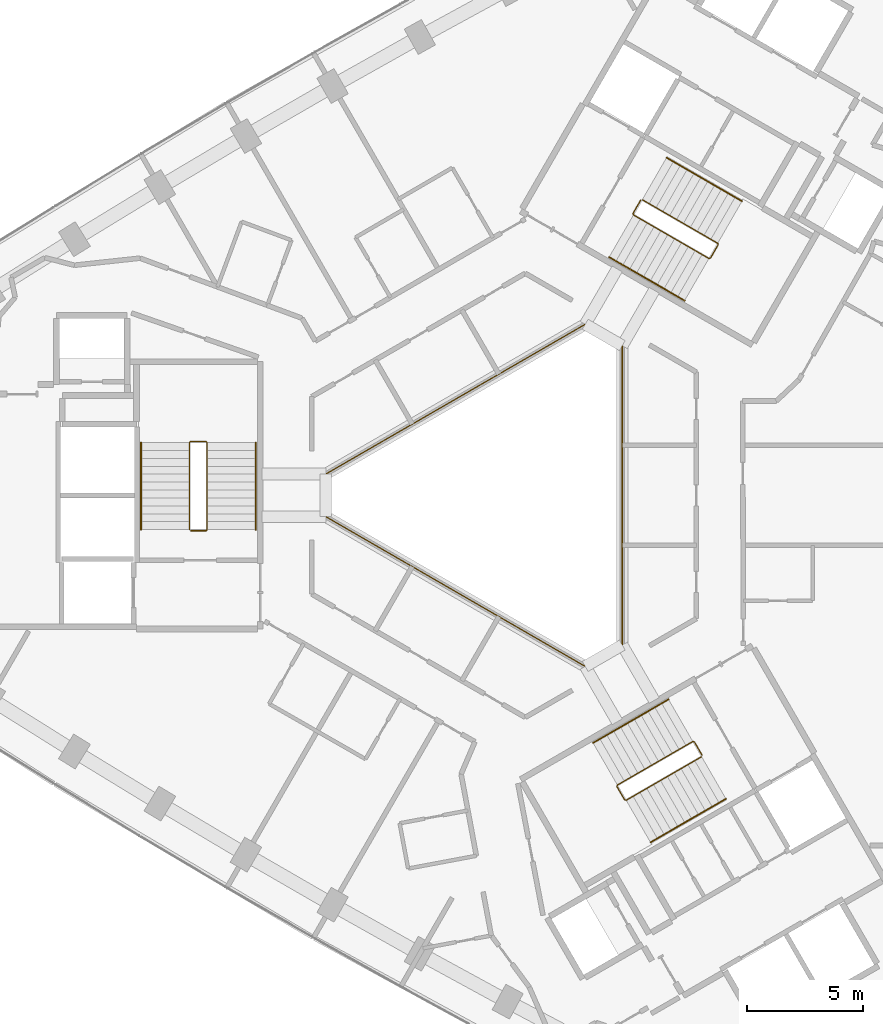
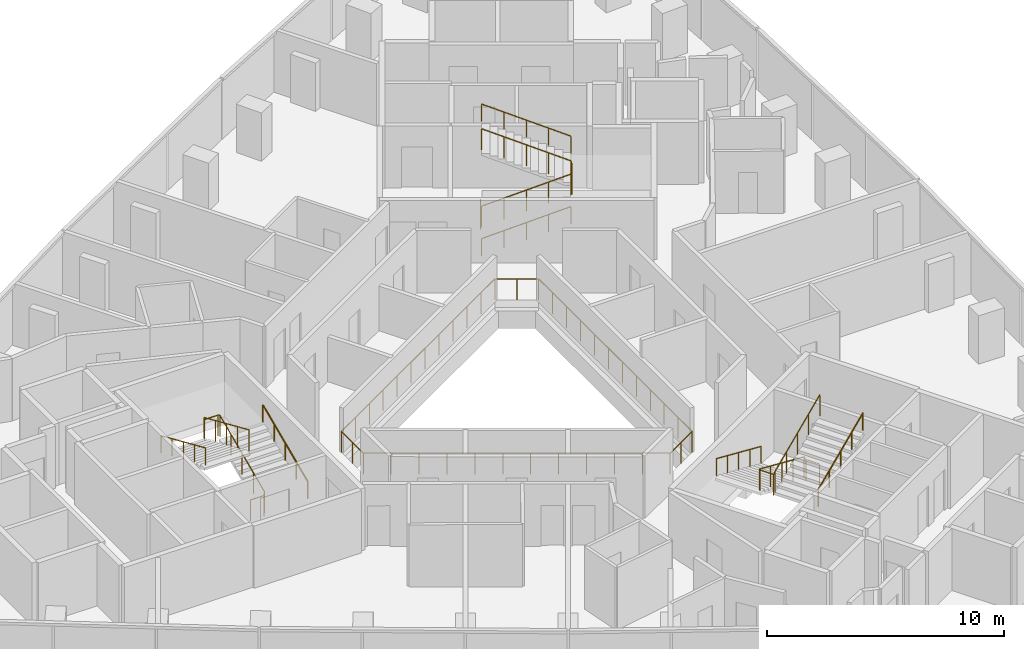
# One storey, part 13 of 13: 10 railings.
"""IFC4 building model written with IfcOpenShell, lengths in metres."""

from ifc_helpers import new_model, si_unit, direction, frame, origin, origin_2d, place, context, subcontext, project, spatial, circle, extrude, material, type_object, element, save


model = new_model("IFC4")

# Units and contexts
model_context = context("Model", 3, precision=1e-05, world=origin(), true_north=direction((0.0, 1.0)))
body_context = subcontext(model_context, "Body", "Model", "MODEL_VIEW")
ifc_project = project(units=[si_unit("LENGTHUNIT", "METRE"), si_unit("AREAUNIT", "SQUARE_METRE"), si_unit("VOLUMEUNIT", "CUBIC_METRE"), si_unit("PLANEANGLEUNIT", "RADIAN"), si_unit("MASSUNIT", "GRAM", prefix="KILO")], contexts=[model_context])

# Site, building, storey
site_placement = place(None, origin())
site = spatial("IfcSite", under=ifc_project, at=site_placement, CompositionType="ELEMENT")
building_placement = place(site_placement, origin())
building = spatial("IfcBuilding", under=site, at=building_placement, Name="Tamra Quay Hotel Tower", CompositionType="ELEMENT")
storey_placement = place(building_placement, frame((0.0, 0.0, 161.199951171875)))
storey = spatial("IfcBuildingStorey", under=building, at=storey_placement, Name="L40", CompositionType="ELEMENT", Elevation=161.199951171875)

# Railings
ifc_material_1 = material(Name="Guard atrium edge 1100")
railing_type_1 = type_object("IfcRailingType", Name="Guard atrium edge 1100", PredefinedType="GUARDRAIL", material=ifc_material_1)
railing_1_placement = place(storey_placement, frame((4.800048828125, -6.466064453125, 0.0)))
element("IfcRailing", 1, at=railing_1_placement, inside=storey, type_object=railing_type_1, Name="G-A", PredefinedType="GUARDRAIL", context=body_context, shape_type="SweptSolid", body=[
    extrude(circle(Radius=0.02392578125, at=origin_2d()), frame((0.0, 0.0, 1.076171875), z_axis=(-0.86602275259, -0.500004591975, 0.0), x_axis=(0.500004591975, -0.86602275259, 0.0)), (0.0, 0.0, 1.0), 1.84765625),
    extrude(circle(Radius=0.02392578125, at=origin_2d()), frame((-1.60009765625, -0.923828125, 1.076171875), z_axis=(-0.86604129137, 0.499972480886, 0.0), x_axis=(-0.499972480886, -0.86604129137, 0.0)), (0.0, 0.0, 1.0), 12.932373046875),
    extrude(circle(Radius=0.02392578125, at=origin_2d()), frame((-12.800048828125, 5.5419921875, 1.076171875), z_axis=(0.0, 1.0, 0.0), x_axis=(-1.0, 0.0, 0.0)), (0.0, 0.0, 1.0), 1.84814453125),
    extrude(circle(Radius=0.02392578125, at=origin_2d()), frame((-12.800048828125, 7.39013671875, 1.076171875), z_axis=(0.86604129137, 0.499972480886, 0.0), x_axis=(-0.499972480886, 0.86604129137, 0.0)), (0.0, 0.0, 1.0), 12.932373046875),
    extrude(circle(Radius=0.02392578125, at=origin_2d()), frame((-1.60009765625, 13.85595703125, 1.076171875), z_axis=(0.86602275259, -0.500004591975, 0.0), x_axis=(0.500004591975, 0.86602275259, 0.0)), (0.0, 0.0, 1.0), 1.84765625),
    extrude(circle(Radius=0.02392578125, at=origin_2d()), frame((0.0, 12.93212890625, 1.076171875), z_axis=(0.0, -1.0, 0.0), x_axis=(1.0, 0.0, 0.0)), (0.0, 0.0, 1.0), 12.93212890625),
    extrude(circle(Radius=0.02099609375, at=origin_2d()), origin(), (0.0, 0.0, 1.0), 1.052001953125),
    extrude(circle(Radius=0.02099609375, at=origin_2d()), frame((-0.800048828125, -0.4619140625, 0.0)), (0.0, 0.0, 1.0), 1.052001953125),
    extrude(circle(Radius=0.02099609375, at=origin_2d()), frame((-1.60009765625, -0.923828125, 0.0)), (0.0, 0.0, 1.0), 1.052001953125),
    extrude(circle(Radius=0.02099609375, at=origin_2d()), frame((-2.6181640625, -0.3359375, 0.0)), (0.0, 0.0, 1.0), 1.052001953125),
    extrude(circle(Radius=0.02099609375, at=origin_2d()), frame((-3.636474609375, 0.251708984375, 0.0)), (0.0, 0.0, 1.0), 1.052001953125),
    extrude(circle(Radius=0.02099609375, at=origin_2d()), frame((-4.654541015625, 0.839599609375, 0.0)), (0.0, 0.0, 1.0), 1.052001953125),
    extrude(circle(Radius=0.02099609375, at=origin_2d()), frame((-5.6728515625, 1.427490234375, 0.0)), (0.0, 0.0, 1.0), 1.052001953125),
    extrude(circle(Radius=0.02099609375, at=origin_2d()), frame((-6.69091796875, 2.01513671875, 0.0)), (0.0, 0.0, 1.0), 1.052001953125),
    extrude(circle(Radius=0.02099609375, at=origin_2d()), frame((-7.709228515625, 2.60302734375, 0.0)), (0.0, 0.0, 1.0), 1.052001953125),
    extrude(circle(Radius=0.02099609375, at=origin_2d()), frame((-8.727294921875, 3.190673828125, 0.0)), (0.0, 0.0, 1.0), 1.052001953125),
    extrude(circle(Radius=0.02099609375, at=origin_2d()), frame((-9.74560546875, 3.778564453125, 0.0)), (0.0, 0.0, 1.0), 1.052001953125),
    extrude(circle(Radius=0.02099609375, at=origin_2d()), frame((-10.763671875, 4.366455078125, 0.0)), (0.0, 0.0, 1.0), 1.052001953125),
    extrude(circle(Radius=0.02099609375, at=origin_2d()), frame((-11.781982421875, 4.9541015625, 0.0)), (0.0, 0.0, 1.0), 1.052001953125),
    extrude(circle(Radius=0.02099609375, at=origin_2d()), frame((-12.800048828125, 5.5419921875, 0.0)), (0.0, 0.0, 1.0), 1.052001953125),
    extrude(circle(Radius=0.02099609375, at=origin_2d()), frame((-12.800048828125, 6.466064453125, 0.0)), (0.0, 0.0, 1.0), 1.052001953125),
    extrude(circle(Radius=0.02099609375, at=origin_2d()), frame((-12.800048828125, 7.39013671875, 0.0)), (0.0, 0.0, 1.0), 1.052001953125),
    extrude(circle(Radius=0.02099609375, at=origin_2d()), frame((-11.781982421875, 7.97802734375, 0.0)), (0.0, 0.0, 1.0), 1.052001953125),
    extrude(circle(Radius=0.02099609375, at=origin_2d()), frame((-10.763671875, 8.565673828125, 0.0)), (0.0, 0.0, 1.0), 1.052001953125),
    extrude(circle(Radius=0.02099609375, at=origin_2d()), frame((-9.74560546875, 9.153564453125, 0.0)), (0.0, 0.0, 1.0), 1.052001953125),
    extrude(circle(Radius=0.02099609375, at=origin_2d()), frame((-8.727294921875, 9.741455078125, 0.0)), (0.0, 0.0, 1.0), 1.052001953125),
    extrude(circle(Radius=0.02099609375, at=origin_2d()), frame((-7.709228515625, 10.3291015625, 0.0)), (0.0, 0.0, 1.0), 1.052001953125),
    extrude(circle(Radius=0.02099609375, at=origin_2d()), frame((-6.69091796875, 10.9169921875, 0.0)), (0.0, 0.0, 1.0), 1.052001953125),
    extrude(circle(Radius=0.02099609375, at=origin_2d()), frame((-5.6728515625, 11.504638671875, 0.0)), (0.0, 0.0, 1.0), 1.052001953125),
    extrude(circle(Radius=0.02099609375, at=origin_2d()), frame((-4.654541015625, 12.092529296875, 0.0)), (0.0, 0.0, 1.0), 1.052001953125),
    extrude(circle(Radius=0.02099609375, at=origin_2d()), frame((-3.636474609375, 12.680419921875, 0.0)), (0.0, 0.0, 1.0), 1.052001953125),
    extrude(circle(Radius=0.02099609375, at=origin_2d()), frame((-2.6181640625, 13.26806640625, 0.0)), (0.0, 0.0, 1.0), 1.052001953125),
    extrude(circle(Radius=0.02099609375, at=origin_2d()), frame((-1.60009765625, 13.85595703125, 0.0)), (0.0, 0.0, 1.0), 1.052001953125),
    extrude(circle(Radius=0.02099609375, at=origin_2d()), frame((-0.800048828125, 13.39404296875, 0.0)), (0.0, 0.0, 1.0), 1.052001953125),
    extrude(circle(Radius=0.02099609375, at=origin_2d()), frame((0.0, 12.93212890625, 0.0)), (0.0, 0.0, 1.0), 1.052001953125),
    extrude(circle(Radius=0.02099609375, at=origin_2d()), frame((0.0, 11.756591796875, 0.0)), (0.0, 0.0, 1.0), 1.052001953125),
    extrude(circle(Radius=0.02099609375, at=origin_2d()), frame((0.0, 10.580810546875, 0.0)), (0.0, 0.0, 1.0), 1.052001953125),
    extrude(circle(Radius=0.02099609375, at=origin_2d()), frame((0.0, 9.4052734375, 0.0)), (0.0, 0.0, 1.0), 1.052001953125),
    extrude(circle(Radius=0.02099609375, at=origin_2d()), frame((0.0, 8.2294921875, 0.0)), (0.0, 0.0, 1.0), 1.052001953125),
    extrude(circle(Radius=0.02099609375, at=origin_2d()), frame((0.0, 7.053955078125, 0.0)), (0.0, 0.0, 1.0), 1.052001953125),
    extrude(circle(Radius=0.02099609375, at=origin_2d()), frame((0.0, 5.878173828125, 0.0)), (0.0, 0.0, 1.0), 1.052001953125),
    extrude(circle(Radius=0.02099609375, at=origin_2d()), frame((0.0, 4.70263671875, 0.0)), (0.0, 0.0, 1.0), 1.052001953125),
    extrude(circle(Radius=0.02099609375, at=origin_2d()), frame((0.0, 3.52685546875, 0.0)), (0.0, 0.0, 1.0), 1.052001953125),
    extrude(circle(Radius=0.02099609375, at=origin_2d()), frame((0.0, 2.351318359375, 0.0)), (0.0, 0.0, 1.0), 1.052001953125),
    extrude(circle(Radius=0.02099609375, at=origin_2d()), frame((0.0, 1.175537109375, 0.0)), (0.0, 0.0, 1.0), 1.052001953125),
])
ifc_material_2 = material(Name="Stair guard 1100")
railing_type_2 = type_object("IfcRailingType", Name="Stair guard 1100", PredefinedType="GUARDRAIL", material=ifc_material_2)
railing_2_placement = place(storey_placement, frame((-13.84130859375, -1.530029296875, 0.0)))
element("IfcRailing", 2, at=railing_2_placement, inside=storey, type_object=railing_type_2, Name="GR", PredefinedType="GUARDRAIL", context=body_context, shape_type="SweptSolid", body=[
    extrude(circle(Radius=0.02392578125, at=origin_2d()), frame((0.0, 0.0, 1.076171875), z_axis=(1.0, 0.0, 0.0), x_axis=(0.0, 1.0, 0.0)), (0.0, 0.0, 1.0), 0.658935546875),
    extrude(circle(Radius=0.02392578125, at=origin_2d()), frame((0.658935546875, 0.0, 1.076171875), z_axis=(0.301511344578, 0.301511344578, 0.904534033733), x_axis=(-0.707106781187, 0.707106781187, 0.0)), (0.0, 0.0, 1.0), 0.166015625),
    extrude(circle(Radius=0.02392578125, at=origin_2d()), frame((0.708984375, 0.050048828125, 1.22607421875), z_axis=(0.0, 0.915795495799, 0.401644880304), x_axis=(-1.0, 0.0, 0.0)), (0.0, 0.0, 1.0), 4.10791015625),
    extrude(circle(Radius=0.02392578125, at=origin_2d()), frame((0.708984375, 3.81201171875, 2.8759765625), z_axis=(-0.708833529934, 0.705375805398, 0.0), x_axis=(-0.705375805398, -0.708833529934, 0.0)), (0.0, 0.0, 1.0), 0.070556640625),
    extrude(circle(Radius=0.02392578125, at=origin_2d()), frame((0.658935546875, 3.86181640625, 2.8759765625), z_axis=(-1.0, 0.0, 0.0), x_axis=(0.0, -1.0, 0.0)), (0.0, 0.0, 1.0), 0.658935546875),
    extrude(circle(Radius=0.02392578125, at=origin_2d()), frame((0.0, 3.86181640625, 2.8759765625), z_axis=(-0.302046947789, -0.300573548044, 0.904667443621), x_axis=(0.705375805398, -0.708833529934, 0.0)), (0.0, 0.0, 1.0), 0.165771484375),
    extrude(circle(Radius=0.02392578125, at=origin_2d()), frame((-0.050048828125, 3.81201171875, 3.02587890625), z_axis=(0.0, -0.915773634228, 0.401694723457), x_axis=(1.0, 0.0, 0.0)), (0.0, 0.0, 1.0), 4.10791015625),
    extrude(circle(Radius=0.02099609375, at=origin_2d()), origin(), (0.0, 0.0, 1.0), 1.052001953125),
    extrude(circle(Radius=0.02099609375, at=origin_2d()), frame((0.658935546875, 0.0, 0.0)), (0.0, 0.0, 1.0), 1.052001953125),
    extrude(circle(Radius=0.02099609375, at=origin_2d()), frame((0.708984375, 0.050048828125, 0.150146484375)), (0.0, 0.0, 1.0), 1.052001953125),
    extrude(circle(Radius=0.02099609375, at=origin_2d()), frame((0.708984375, 0.990478515625, 0.5625)), (0.0, 0.0, 1.0), 1.052001953125),
    extrude(circle(Radius=0.02099609375, at=origin_2d()), frame((0.708984375, 1.93115234375, 0.97509765625)), (0.0, 0.0, 1.0), 1.052001953125),
    extrude(circle(Radius=0.02099609375, at=origin_2d()), frame((0.708984375, 2.87158203125, 1.3876953125)), (0.0, 0.0, 1.0), 1.052001953125),
    extrude(circle(Radius=0.02099609375, at=origin_2d()), frame((0.708984375, 3.81201171875, 1.800048828125)), (0.0, 0.0, 1.0), 1.052001953125),
    extrude(circle(Radius=0.02099609375, at=origin_2d()), frame((0.658935546875, 3.86181640625, 1.800048828125)), (0.0, 0.0, 1.0), 1.052001953125),
    extrude(circle(Radius=0.02099609375, at=origin_2d()), frame((0.0, 3.86181640625, 1.800048828125)), (0.0, 0.0, 1.0), 1.052001953125),
    extrude(circle(Radius=0.02099609375, at=origin_2d()), frame((-0.050048828125, 3.81201171875, 1.949951171875)), (0.0, 0.0, 1.0), 1.052001953125),
    extrude(circle(Radius=0.02099609375, at=origin_2d()), frame((-0.050048828125, 2.87158203125, 2.362548828125)), (0.0, 0.0, 1.0), 1.052001953125),
    extrude(circle(Radius=0.02099609375, at=origin_2d()), frame((-0.050048828125, 1.93115234375, 2.77490234375)), (0.0, 0.0, 1.0), 1.052001953125),
    extrude(circle(Radius=0.02099609375, at=origin_2d()), frame((-0.050048828125, 0.990478515625, 3.1875)), (0.0, 0.0, 1.0), 1.052001953125),
    extrude(circle(Radius=0.02099609375, at=origin_2d()), frame((-0.050048828125, 0.050048828125, 3.60009765625)), (0.0, 0.0, 1.0), 1.052001953125),
])
railing_3_placement = place(storey_placement, frame((5.595458984375, 12.751953125, 0.0)))
element("IfcRailing", 3, at=railing_3_placement, inside=storey, type_object=railing_type_2, Name="GR", PredefinedType="GUARDRAIL", context=body_context, shape_type="SweptSolid", body=[
    extrude(circle(Radius=0.02392578125, at=origin_2d()), frame((0.0, 0.0, 1.076171875), z_axis=(-0.499765215335, -0.866160914346, 0.0), x_axis=(0.866160914346, -0.499765215335, 0.0)), (0.0, 0.0, 1.0), 0.658935546875),
    extrude(circle(Radius=0.02392578125, at=origin_2d()), frame((-0.329345703125, -0.57080078125, 1.076171875), z_axis=(0.110378772244, -0.410609032747, 0.905105932399), x_axis=(0.965715946433, 0.259601060869, 0.0)), (0.0, 0.0, 1.0), 0.165771484375),
    extrude(circle(Radius=0.02392578125, at=origin_2d()), frame((-0.31103515625, -0.638916015625, 1.22607421875), z_axis=(0.793078462799, -0.457933869594, 0.401650498471), x_axis=(0.500040788363, 0.866001853331, 0.0)), (0.0, 0.0, 1.0), 4.10791015625),
    extrude(circle(Radius=0.02392578125, at=origin_2d()), frame((2.94677734375, -2.52001953125, 2.8759765625), z_axis=(0.965948051503, 0.258736085224, 0.0), x_axis=(-0.258736085224, 0.965948051503, 0.0)), (0.0, 0.0, 1.0), 0.07080078125),
    extrude(circle(Radius=0.02392578125, at=origin_2d()), frame((3.01513671875, -2.501708984375, 2.8759765625), z_axis=(0.500043078269, 0.866000531106, 0.0), x_axis=(-0.866000531106, 0.500043078269, 0.0)), (0.0, 0.0, 1.0), 0.6591796875),
    extrude(circle(Radius=0.02392578125, at=origin_2d()), frame((3.3447265625, -1.930908203125, 2.8759765625), z_axis=(-0.110525977783, 0.411156637351, 0.904839338113), x_axis=(-0.965715946433, -0.259601060869, 0.0)), (0.0, 0.0, 1.0), 0.165771484375),
    extrude(circle(Radius=0.02392578125, at=origin_2d()), frame((3.326416015625, -1.86279296875, 3.02587890625), z_axis=(-0.793081581205, 0.457901355053, 0.401681409319), x_axis=(-0.500012686397, -0.866018079166, 0.0)), (0.0, 0.0, 1.0), 4.108154296875),
    extrude(circle(Radius=0.02099609375, at=origin_2d()), origin(), (0.0, 0.0, 1.0), 1.052001953125),
    extrude(circle(Radius=0.02099609375, at=origin_2d()), frame((-0.329345703125, -0.57080078125, 0.0)), (0.0, 0.0, 1.0), 1.052001953125),
    extrude(circle(Radius=0.02099609375, at=origin_2d()), frame((-0.31103515625, -0.638916015625, 0.150146484375)), (0.0, 0.0, 1.0), 1.052001953125),
    extrude(circle(Radius=0.02099609375, at=origin_2d()), frame((0.50341796875, -1.109130859375, 0.5625)), (0.0, 0.0, 1.0), 1.052001953125),
    extrude(circle(Radius=0.02099609375, at=origin_2d()), frame((1.31787109375, -1.57958984375, 0.97509765625)), (0.0, 0.0, 1.0), 1.052001953125),
    extrude(circle(Radius=0.02099609375, at=origin_2d()), frame((2.13232421875, -2.0498046875, 1.3876953125)), (0.0, 0.0, 1.0), 1.052001953125),
    extrude(circle(Radius=0.02099609375, at=origin_2d()), frame((2.94677734375, -2.52001953125, 1.800048828125)), (0.0, 0.0, 1.0), 1.052001953125),
    extrude(circle(Radius=0.02099609375, at=origin_2d()), frame((3.01513671875, -2.501708984375, 1.800048828125)), (0.0, 0.0, 1.0), 1.052001953125),
    extrude(circle(Radius=0.02099609375, at=origin_2d()), frame((3.3447265625, -1.930908203125, 1.800048828125)), (0.0, 0.0, 1.0), 1.052001953125),
    extrude(circle(Radius=0.02099609375, at=origin_2d()), frame((3.326416015625, -1.86279296875, 1.949951171875)), (0.0, 0.0, 1.0), 1.052001953125),
    extrude(circle(Radius=0.02099609375, at=origin_2d()), frame((2.511962890625, -1.392578125, 2.362548828125)), (0.0, 0.0, 1.0), 1.052001953125),
    extrude(circle(Radius=0.02099609375, at=origin_2d()), frame((1.697265625, -0.92236328125, 2.77490234375)), (0.0, 0.0, 1.0), 1.052001953125),
    extrude(circle(Radius=0.02099609375, at=origin_2d()), frame((0.8828125, -0.451904296875, 3.1875)), (0.0, 0.0, 1.0), 1.052001953125),
    extrude(circle(Radius=0.02099609375, at=origin_2d()), frame((0.068359375, 0.018310546875, 3.60009765625)), (0.0, 0.0, 1.0), 1.052001953125),
])
railing_4_placement = place(storey_placement, frame((8.245849609375, -11.221923828125, 0.0)))
element("IfcRailing", 4, at=railing_4_placement, inside=storey, type_object=railing_type_2, Name="GR", PredefinedType="GUARDRAIL", context=body_context, shape_type="SweptSolid", body=[
    extrude(circle(Radius=0.02392578125, at=origin_2d()), frame((0.0, 0.0, 1.076171875), z_axis=(-0.500043078269, 0.866000531106, 0.0), x_axis=(-0.866000531106, -0.500043078269, 0.0)), (0.0, 0.0, 1.0), 0.6591796875),
    extrude(circle(Radius=0.02392578125, at=origin_2d()), frame((-0.32958984375, 0.57080078125, 1.076171875), z_axis=(-0.411831509231, 0.110312011401, 0.90455849349), x_axis=(-0.258736085224, -0.965948051503, 0.0)), (0.0, 0.0, 1.0), 0.166015625),
    extrude(circle(Radius=0.02392578125, at=origin_2d()), frame((-0.39794921875, 0.589111328125, 1.22607421875), z_axis=(-0.793100512587, -0.457912285461, 0.401631567183), x_axis=(0.500012686397, -0.866018079166, 0.0)), (0.0, 0.0, 1.0), 4.10791015625),
    extrude(circle(Radius=0.02392578125, at=origin_2d()), frame((-3.656005859375, -1.2919921875, 2.8759765625), z_axis=(-0.256368644879, -0.966579080015, 0.0), x_axis=(0.966579080015, -0.256368644879, 0.0)), (0.0, 0.0, 1.0), 0.070556640625),
    extrude(circle(Radius=0.02392578125, at=origin_2d()), frame((-3.674072265625, -1.360107421875, 2.8759765625), z_axis=(0.499765215335, -0.866160914346, 0.0), x_axis=(0.866160914346, 0.499765215335, 0.0)), (0.0, 0.0, 1.0), 0.658935546875),
    extrude(circle(Radius=0.02392578125, at=origin_2d()), frame((-3.3447265625, -1.930908203125, 2.8759765625), z_axis=(0.41238007866, -0.110458949641, 0.904290601062), x_axis=(0.258736085224, 0.965948051503, 0.0)), (0.0, 0.0, 1.0), 0.165771484375),
    extrude(circle(Radius=0.02392578125, at=origin_2d()), frame((-3.2763671875, -1.94921875, 3.02587890625), z_axis=(0.793081581205, 0.457901355053, 0.401681409319), x_axis=(-0.500012686397, 0.866018079166, 0.0)), (0.0, 0.0, 1.0), 4.108154296875),
    extrude(circle(Radius=0.02099609375, at=origin_2d()), origin(), (0.0, 0.0, 1.0), 1.052001953125),
    extrude(circle(Radius=0.02099609375, at=origin_2d()), frame((-0.32958984375, 0.57080078125, 0.0)), (0.0, 0.0, 1.0), 1.052001953125),
    extrude(circle(Radius=0.02099609375, at=origin_2d()), frame((-0.39794921875, 0.589111328125, 0.150146484375)), (0.0, 0.0, 1.0), 1.052001953125),
    extrude(circle(Radius=0.02099609375, at=origin_2d()), frame((-1.21240234375, 0.118896484375, 0.5625)), (0.0, 0.0, 1.0), 1.052001953125),
    extrude(circle(Radius=0.02099609375, at=origin_2d()), frame((-2.02685546875, -0.3515625, 0.97509765625)), (0.0, 0.0, 1.0), 1.052001953125),
    extrude(circle(Radius=0.02099609375, at=origin_2d()), frame((-2.841552734375, -0.82177734375, 1.3876953125)), (0.0, 0.0, 1.0), 1.052001953125),
    extrude(circle(Radius=0.02099609375, at=origin_2d()), frame((-3.656005859375, -1.2919921875, 1.800048828125)), (0.0, 0.0, 1.0), 1.052001953125),
    extrude(circle(Radius=0.02099609375, at=origin_2d()), frame((-3.674072265625, -1.360107421875, 1.800048828125)), (0.0, 0.0, 1.0), 1.052001953125),
    extrude(circle(Radius=0.02099609375, at=origin_2d()), frame((-3.3447265625, -1.930908203125, 1.800048828125)), (0.0, 0.0, 1.0), 1.052001953125),
    extrude(circle(Radius=0.02099609375, at=origin_2d()), frame((-3.2763671875, -1.94921875, 1.949951171875)), (0.0, 0.0, 1.0), 1.052001953125),
    extrude(circle(Radius=0.02099609375, at=origin_2d()), frame((-2.4619140625, -1.47900390625, 2.362548828125)), (0.0, 0.0, 1.0), 1.052001953125),
    extrude(circle(Radius=0.02099609375, at=origin_2d()), frame((-1.6474609375, -1.0087890625, 2.77490234375)), (0.0, 0.0, 1.0), 1.052001953125),
    extrude(circle(Radius=0.02099609375, at=origin_2d()), frame((-0.832763671875, -0.538330078125, 3.1875)), (0.0, 0.0, 1.0), 1.052001953125),
    extrude(circle(Radius=0.02099609375, at=origin_2d()), frame((-0.018310546875, -0.068115234375, 3.60009765625)), (0.0, 0.0, 1.0), 1.052001953125),
])
ifc_material_3 = material(Name="Stair handrail 900")
railing_type_3 = type_object("IfcRailingType", Name="Stair handrail 900", PredefinedType="HANDRAIL", material=ifc_material_3)
railing_5_placement = place(storey_placement, frame((-11.0322265625, -1.47998046875, 0.150146484375)))
element("IfcRailing", 5, at=railing_5_placement, inside=storey, type_object=railing_type_3, Name="HR", PredefinedType="HANDRAIL", context=body_context, shape_type="SweptSolid", body=[
    extrude(circle(Radius=0.02392578125, at=origin_2d()), frame((0.0, 0.0, 0.8759765625), z_axis=(0.0, 0.915795495799, 0.401644880304), x_axis=(-1.0, 0.0, 0.0)), (0.0, 0.0, 1.0), 4.10791015625),
    extrude(circle(Radius=0.02099609375, at=origin_2d()), origin(), (0.0, 0.0, 1.0), 0.851806640625),
    extrude(circle(Radius=0.02099609375, at=origin_2d()), frame((0.0, 0.9404296875, 0.41259765625)), (0.0, 0.0, 1.0), 0.851806640625),
    extrude(circle(Radius=0.02099609375, at=origin_2d()), frame((0.0, 1.880859375, 0.824951171875)), (0.0, 0.0, 1.0), 0.851806640625),
    extrude(circle(Radius=0.02099609375, at=origin_2d()), frame((0.0, 2.821533203125, 1.2373046875)), (0.0, 0.0, 1.0), 0.851806640625),
    extrude(circle(Radius=0.02099609375, at=origin_2d()), frame((0.0, 3.761962890625, 1.64990234375)), (0.0, 0.0, 1.0), 0.851806640625),
])
railing_6_placement = place(storey_placement, frame((-15.9912109375, 2.281982421875, 1.949951171875)))
element("IfcRailing", 6, at=railing_6_placement, inside=storey, type_object=railing_type_3, Name="HR", PredefinedType="HANDRAIL", context=body_context, shape_type="SweptSolid", body=[
    extrude(circle(Radius=0.02392578125, at=origin_2d()), frame((0.0, 0.0, 0.8759765625), z_axis=(0.0, -0.915773634228, 0.401694723457), x_axis=(1.0, 0.0, 0.0)), (0.0, 0.0, 1.0), 4.10791015625),
    extrude(circle(Radius=0.02099609375, at=origin_2d()), origin(), (0.0, 0.0, 1.0), 0.851806640625),
    extrude(circle(Radius=0.02099609375, at=origin_2d()), frame((0.0, -0.9404296875, 0.41259765625)), (0.0, 0.0, 1.0), 0.851806640625),
    extrude(circle(Radius=0.02099609375, at=origin_2d()), frame((0.0, -1.880859375, 0.8251953125)), (0.0, 0.0, 1.0), 0.851806640625),
    extrude(circle(Radius=0.02099609375, at=origin_2d()), frame((0.0, -2.821533203125, 1.237548828125)), (0.0, 0.0, 1.0), 0.851806640625),
    extrude(circle(Radius=0.02099609375, at=origin_2d()), frame((0.0, -3.761962890625, 1.650146484375)), (0.0, 0.0, 1.0), 0.851806640625),
])
railing_7_placement = place(storey_placement, frame((4.234375, 10.294189453125, 0.150146484375)))
element("IfcRailing", 7, at=railing_7_placement, inside=storey, type_object=railing_type_3, Name="HR", PredefinedType="HANDRAIL", context=body_context, shape_type="SweptSolid", body=[
    extrude(circle(Radius=0.02392578125, at=origin_2d()), frame((0.0, 0.0, 0.8759765625), z_axis=(0.793122095483, -0.45786531462, 0.401642496911), x_axis=(0.499964013922, 0.86604617936, 0.0)), (0.0, 0.0, 1.0), 4.10791015625),
    extrude(circle(Radius=0.02099609375, at=origin_2d()), origin(), (0.0, 0.0, 1.0), 0.851806640625),
    extrude(circle(Radius=0.02099609375, at=origin_2d()), frame((0.814453125, -0.47021484375, 0.41259765625)), (0.0, 0.0, 1.0), 0.851806640625),
    extrude(circle(Radius=0.02099609375, at=origin_2d()), frame((1.62890625, -0.9404296875, 0.824951171875)), (0.0, 0.0, 1.0), 0.851806640625),
    extrude(circle(Radius=0.02099609375, at=origin_2d()), frame((2.443603515625, -1.41064453125, 1.2373046875)), (0.0, 0.0, 1.0), 0.851806640625),
    extrude(circle(Radius=0.02099609375, at=origin_2d()), frame((3.258056640625, -1.880859375, 1.64990234375)), (0.0, 0.0, 1.0), 0.851806640625),
])
railing_8_placement = place(storey_placement, frame((9.971923828125, 12.7080078125, 1.949951171875)))
element("IfcRailing", 8, at=railing_8_placement, inside=storey, type_object=railing_type_3, Name="HR", PredefinedType="HANDRAIL", context=body_context, shape_type="SweptSolid", body=[
    extrude(circle(Radius=0.02392578125, at=origin_2d()), frame((0.0, 0.0, 0.8759765625), z_axis=(-0.793103162556, 0.457854384738, 0.401692339881), x_axis=(-0.499964013922, -0.86604617936, 0.0)), (0.0, 0.0, 1.0), 4.10791015625),
    extrude(circle(Radius=0.02099609375, at=origin_2d()), origin(), (0.0, 0.0, 1.0), 0.851806640625),
    extrude(circle(Radius=0.02099609375, at=origin_2d()), frame((-0.814453125, 0.47021484375, 0.41259765625)), (0.0, 0.0, 1.0), 0.851806640625),
    extrude(circle(Radius=0.02099609375, at=origin_2d()), frame((-1.62890625, 0.9404296875, 0.8251953125)), (0.0, 0.0, 1.0), 0.851806640625),
    extrude(circle(Radius=0.02099609375, at=origin_2d()), frame((-2.443603515625, 1.41064453125, 1.237548828125)), (0.0, 0.0, 1.0), 0.851806640625),
    extrude(circle(Radius=0.02099609375, at=origin_2d()), frame((-3.258056640625, 1.880859375, 1.650146484375)), (0.0, 0.0, 1.0), 0.851806640625),
])
railing_9_placement = place(storey_placement, frame((6.7978515625, -8.814208984375, 0.150146484375)))
element("IfcRailing", 9, at=railing_9_placement, inside=storey, type_object=railing_type_3, Name="HR", PredefinedType="HANDRAIL", context=body_context, shape_type="SweptSolid", body=[
    extrude(circle(Radius=0.02392578125, at=origin_2d()), frame((0.0, 0.0, 0.8759765625), z_axis=(-0.79310004713, -0.457886897714, 0.401661429744), x_axis=(0.499992114976, -0.866029956157, 0.0)), (0.0, 0.0, 1.0), 4.107666015625),
    extrude(circle(Radius=0.02099609375, at=origin_2d()), origin(), (0.0, 0.0, 1.0), 0.851806640625),
    extrude(circle(Radius=0.02099609375, at=origin_2d()), frame((-0.814453125, -0.47021484375, 0.41259765625)), (0.0, 0.0, 1.0), 0.851806640625),
    extrude(circle(Radius=0.02099609375, at=origin_2d()), frame((-1.62890625, -0.9404296875, 0.824951171875)), (0.0, 0.0, 1.0), 0.851806640625),
    extrude(circle(Radius=0.02099609375, at=origin_2d()), frame((-2.443359375, -1.41064453125, 1.2373046875)), (0.0, 0.0, 1.0), 0.851806640625),
    extrude(circle(Radius=0.02099609375, at=origin_2d()), frame((-3.2578125, -1.880859375, 1.64990234375)), (0.0, 0.0, 1.0), 0.851806640625),
])
railing_10_placement = place(storey_placement, frame((6.01953125, -14.98974609375, 1.949951171875)))
element("IfcRailing", 10, at=railing_10_placement, inside=storey, type_object=railing_type_3, Name="HR", PredefinedType="HANDRAIL", context=body_context, shape_type="SweptSolid", body=[
    extrude(circle(Radius=0.02392578125, at=origin_2d()), frame((0.0, 0.0, 0.8759765625), z_axis=(0.793081112945, 0.457875966286, 0.40171127416), x_axis=(-0.499992114976, 0.866029956157, 0.0)), (0.0, 0.0, 1.0), 4.10791015625),
    extrude(circle(Radius=0.02099609375, at=origin_2d()), origin(), (0.0, 0.0, 1.0), 0.851806640625),
    extrude(circle(Radius=0.02099609375, at=origin_2d()), frame((0.814453125, 0.47021484375, 0.41259765625)), (0.0, 0.0, 1.0), 0.851806640625),
    extrude(circle(Radius=0.02099609375, at=origin_2d()), frame((1.62890625, 0.9404296875, 0.8251953125)), (0.0, 0.0, 1.0), 0.851806640625),
    extrude(circle(Radius=0.02099609375, at=origin_2d()), frame((2.443359375, 1.41064453125, 1.237548828125)), (0.0, 0.0, 1.0), 0.851806640625),
    extrude(circle(Radius=0.02099609375, at=origin_2d()), frame((3.2578125, 1.880859375, 1.650146484375)), (0.0, 0.0, 1.0), 0.851806640625),
])

save(model, "model.ifc")
